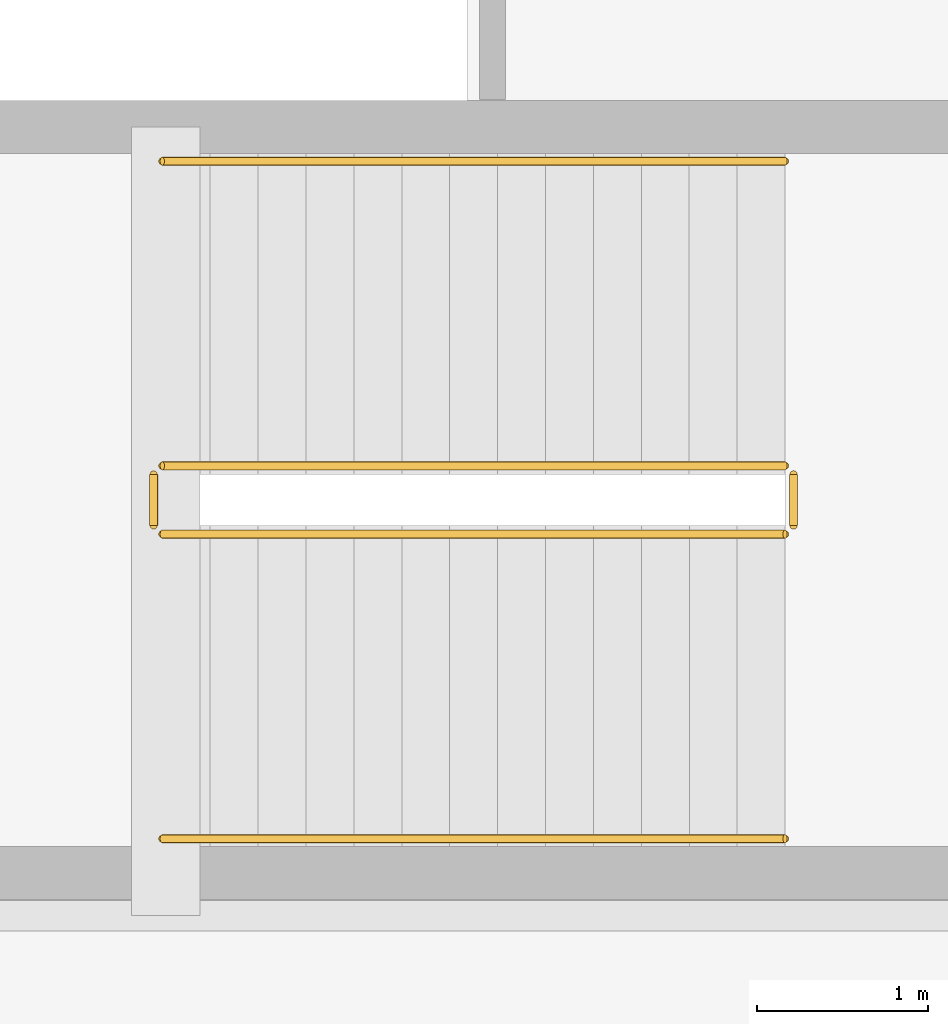
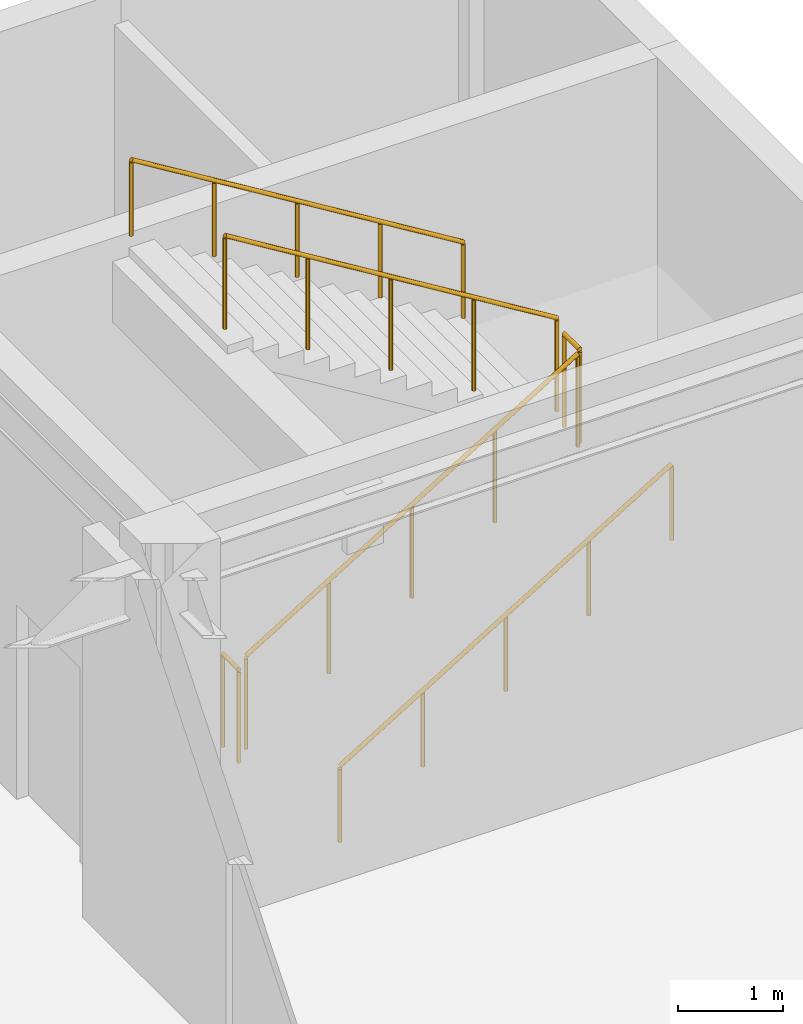
# One storey, part 56 of 56: 6 railings.
"""IFC4 building model written with IfcOpenShell, lengths in metres."""

from ifc_helpers import new_model, si_unit, direction, frame, origin, origin_2d, place, context, subcontext, project, spatial, circle, extrude, material, type_object, element, save


model = new_model("IFC4")

# Units and contexts
model_context = context("Model", 3, precision=1e-05, world=origin(), true_north=direction((0.0, 1.0)))
body_context = subcontext(model_context, "Body", "Model", "MODEL_VIEW")
ifc_project = project(units=[si_unit("LENGTHUNIT", "METRE"), si_unit("AREAUNIT", "SQUARE_METRE"), si_unit("VOLUMEUNIT", "CUBIC_METRE"), si_unit("PLANEANGLEUNIT", "RADIAN"), si_unit("MASSUNIT", "GRAM", prefix="KILO")], contexts=[model_context])

# Site, building, storey
site_placement = place(None, origin())
site = spatial("IfcSite", under=ifc_project, at=site_placement, CompositionType="ELEMENT")
building_placement = place(site_placement, origin())
building = spatial("IfcBuilding", under=site, at=building_placement, Name="Parian Resonance Hall", CompositionType="ELEMENT")
storey_placement = place(building_placement, frame((0.0, 0.0, 5.39990234375)))
storey = spatial("IfcBuildingStorey", under=building, at=storey_placement, Name="L01", CompositionType="ELEMENT", Elevation=5.39990234375)

# Railings
ifc_material_1 = material(Name="Patinated bronze whiplash metalwork")
railing_type_1 = type_object("IfcRailingType", Name="RAIL-STAIR-GRD-1100", PredefinedType="GUARDRAIL", material=ifc_material_1)
railing_1_placement = place(storey_placement, frame((139.820068359375, 83.22998046875, 0.171630859375)))
element("IfcRailing", 1, at=railing_1_placement, inside=storey, type_object=railing_type_1, Name="L01 ST-06 stair guard 1", PredefinedType="GUARDRAIL", context=body_context, shape_type="SweptSolid", body=[
    extrude(circle(Radius=0.02392578125, at=origin_2d()), frame((0.0, 0.0, 1.076171875), z_axis=(0.852850264322, 0.0, 0.5221555579), x_axis=(0.0, 1.0, 0.0)), (0.0, 0.0, 1.0), 4.267822265625),
    extrude(circle(Radius=0.02099609375, at=origin_2d()), origin(), (0.0, 0.0, 1.0), 1.052001953125),
    extrude(circle(Radius=0.02099609375, at=origin_2d()), frame((0.909912109375, 0.0, 0.55712890625)), (0.0, 0.0, 1.0), 1.052001953125),
    extrude(circle(Radius=0.02099609375, at=origin_2d()), frame((1.81982421875, 0.0, 1.1142578125)), (0.0, 0.0, 1.0), 1.052001953125),
    extrude(circle(Radius=0.02099609375, at=origin_2d()), frame((2.72998046875, 0.0, 1.67138671875)), (0.0, 0.0, 1.0), 1.052001953125),
    extrude(circle(Radius=0.02099609375, at=origin_2d()), frame((3.639892578125, 0.0, 2.228515625)), (0.0, 0.0, 1.0), 1.052001953125),
])
railing_2_placement = place(storey_placement, frame((143.510009765625, 83.280029296875, 2.400146484375)))
element("IfcRailing", 2, at=railing_2_placement, inside=storey, type_object=railing_type_1, Name="L01 ST-06 stair guard 2", PredefinedType="GUARDRAIL", context=body_context, shape_type="SweptSolid", body=[
    extrude(circle(Radius=0.02392578125, at=origin_2d()), frame((0.0, 0.0, 1.076171875), z_axis=(0.0, 1.0, 0.0), x_axis=(-1.0, 0.0, 0.0)), (0.0, 0.0, 1.0), 0.300048828125),
    extrude(circle(Radius=0.02099609375, at=origin_2d()), origin(), (0.0, 0.0, 1.0), 1.052001953125),
    extrude(circle(Radius=0.02099609375, at=origin_2d()), frame((0.0, 0.300048828125, 0.0)), (0.0, 0.0, 1.0), 1.052001953125),
])
railing_3_placement = place(storey_placement, frame((143.4599609375, 83.6298828125, 2.571533203125)))
element("IfcRailing", 3, at=railing_3_placement, inside=storey, type_object=railing_type_1, Name="L01 ST-06 stair guard 3", PredefinedType="GUARDRAIL", context=body_context, shape_type="SweptSolid", body=[
    extrude(circle(Radius=0.02392578125, at=origin_2d()), frame((0.0, 0.0, 1.076171875), z_axis=(-0.852850264322, 0.0, 0.5221555579), x_axis=(0.0, -1.0, 0.0)), (0.0, 0.0, 1.0), 4.267822265625),
    extrude(circle(Radius=0.02099609375, at=origin_2d()), origin(), (0.0, 0.0, 1.0), 1.052001953125),
    extrude(circle(Radius=0.02099609375, at=origin_2d()), frame((-0.909912109375, 0.0, 0.55712890625)), (0.0, 0.0, 1.0), 1.052001953125),
    extrude(circle(Radius=0.02099609375, at=origin_2d()), frame((-1.81982421875, 0.0, 1.1142578125)), (0.0, 0.0, 1.0), 1.052001953125),
    extrude(circle(Radius=0.02099609375, at=origin_2d()), frame((-2.72998046875, 0.0, 1.67138671875)), (0.0, 0.0, 1.0), 1.052001953125),
    extrude(circle(Radius=0.02099609375, at=origin_2d()), frame((-3.639892578125, 0.0, 2.228515625)), (0.0, 0.0, 1.0), 1.052001953125),
])
railing_4_placement = place(storey_placement, frame((139.77001953125, 83.280029296875, 0.0)))
element("IfcRailing", 4, at=railing_4_placement, inside=storey, type_object=railing_type_1, Name="L01 ST-06 stair guard 4", PredefinedType="GUARDRAIL", context=body_context, shape_type="SweptSolid", body=[
    extrude(circle(Radius=0.02392578125, at=origin_2d()), frame((0.0, 0.0, 1.076171875), z_axis=(0.0, 1.0, 0.0), x_axis=(-1.0, 0.0, 0.0)), (0.0, 0.0, 1.0), 0.300048828125),
    extrude(circle(Radius=0.02099609375, at=origin_2d()), origin(), (0.0, 0.0, 1.0), 1.052001953125),
    extrude(circle(Radius=0.02099609375, at=origin_2d()), frame((0.0, 0.300048828125, 0.0)), (0.0, 0.0, 1.0), 1.052001953125),
])
ifc_material_2 = material(Name="Patinated bronze whiplash metalwork")
railing_type_2 = type_object("IfcRailingType", Name="RAIL-STAIR-HR-900", PredefinedType="HANDRAIL", material=ifc_material_2)
railing_5_placement = place(storey_placement, frame((139.820068359375, 81.449951171875, 0.171630859375)))
element("IfcRailing", 5, at=railing_5_placement, inside=storey, type_object=railing_type_2, Name="L01 ST-06 stair handrail 1", PredefinedType="HANDRAIL", context=body_context, shape_type="SweptSolid", body=[
    extrude(circle(Radius=0.02392578125, at=origin_2d()), frame((0.0, 0.0, 0.8759765625), z_axis=(0.852850264322, 0.0, 0.5221555579), x_axis=(0.0, 1.0, 0.0)), (0.0, 0.0, 1.0), 4.267822265625),
    extrude(circle(Radius=0.02099609375, at=origin_2d()), origin(), (0.0, 0.0, 1.0), 0.851806640625),
    extrude(circle(Radius=0.02099609375, at=origin_2d()), frame((0.909912109375, 0.0, 0.55712890625)), (0.0, 0.0, 1.0), 0.851806640625),
    extrude(circle(Radius=0.02099609375, at=origin_2d()), frame((1.81982421875, 0.0, 1.1142578125)), (0.0, 0.0, 1.0), 0.851806640625),
    extrude(circle(Radius=0.02099609375, at=origin_2d()), frame((2.72998046875, 0.0, 1.67138671875)), (0.0, 0.0, 1.0), 0.851806640625),
    extrude(circle(Radius=0.02099609375, at=origin_2d()), frame((3.639892578125, 0.0, 2.228515625)), (0.0, 0.0, 1.0), 0.851806640625),
])
railing_6_placement = place(storey_placement, frame((143.4599609375, 85.409912109375, 2.571533203125)))
element("IfcRailing", 6, at=railing_6_placement, inside=storey, type_object=railing_type_2, Name="L01 ST-06 stair handrail 2", PredefinedType="HANDRAIL", context=body_context, shape_type="SweptSolid", body=[
    extrude(circle(Radius=0.02392578125, at=origin_2d()), frame((0.0, 0.0, 0.8759765625), z_axis=(-0.852850264322, 0.0, 0.5221555579), x_axis=(0.0, -1.0, 0.0)), (0.0, 0.0, 1.0), 4.267822265625),
    extrude(circle(Radius=0.02099609375, at=origin_2d()), origin(), (0.0, 0.0, 1.0), 0.851806640625),
    extrude(circle(Radius=0.02099609375, at=origin_2d()), frame((-0.909912109375, 0.0, 0.55712890625)), (0.0, 0.0, 1.0), 0.851806640625),
    extrude(circle(Radius=0.02099609375, at=origin_2d()), frame((-1.81982421875, 0.0, 1.1142578125)), (0.0, 0.0, 1.0), 0.851806640625),
    extrude(circle(Radius=0.02099609375, at=origin_2d()), frame((-2.72998046875, 0.0, 1.67138671875)), (0.0, 0.0, 1.0), 0.851806640625),
    extrude(circle(Radius=0.02099609375, at=origin_2d()), frame((-3.639892578125, 0.0, 2.228515625)), (0.0, 0.0, 1.0), 0.851806640625),
])

save(model, "model.ifc")
